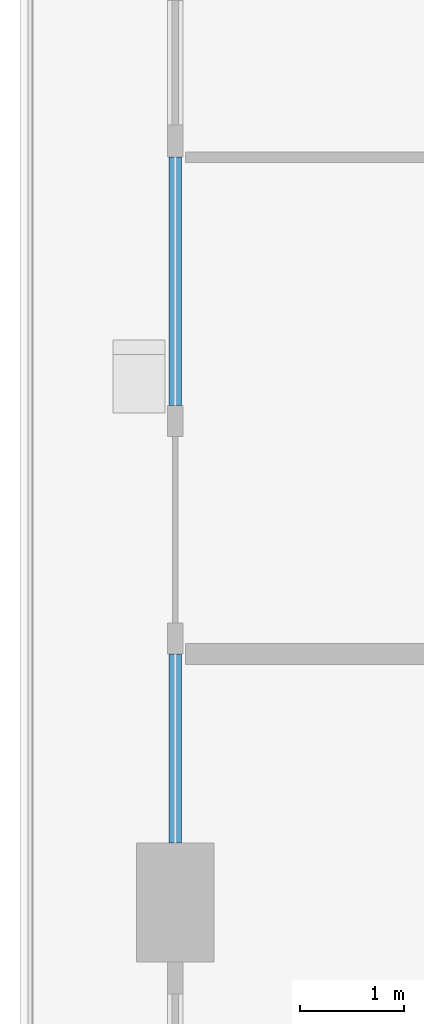
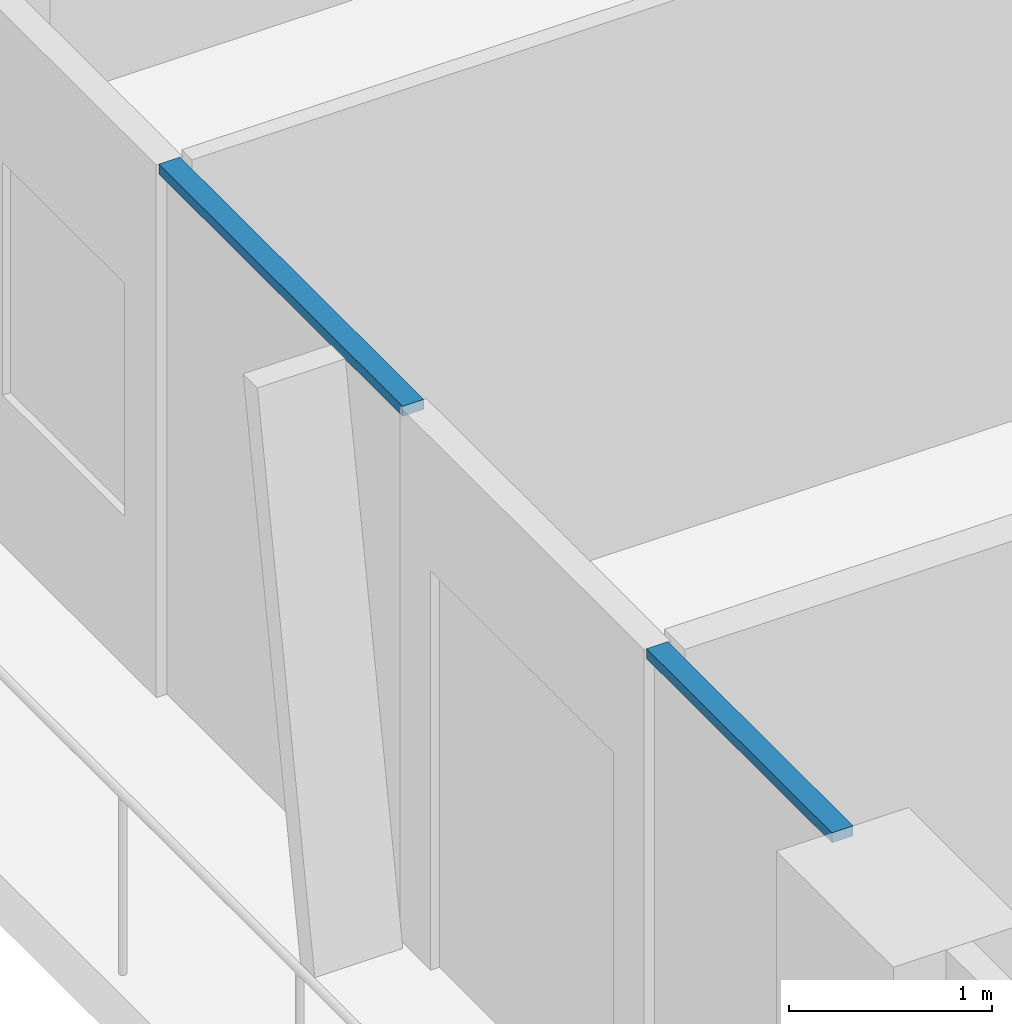
# One storey, part 3 of 22: 2 members, 1 element without a shape of its own.
"""IFC4 building model written with IfcOpenShell, lengths in metres."""

from ifc_helpers import new_model, si_unit, direction, frame, origin, origin_2d, place, context, subcontext, project, spatial, rectangle, extrude, material, layer, layer_set, material_profile, profile_set, type_object, element, aggregate, save


model = new_model("IFC4")

# Units and contexts
model_context = context("Model", 3, precision=1e-05, world=origin(), true_north=direction((0.0, 1.0)))
body_context = subcontext(model_context, "Body", "Model", "MODEL_VIEW")
ifc_project = project(units=[si_unit("LENGTHUNIT", "METRE"), si_unit("AREAUNIT", "SQUARE_METRE"), si_unit("VOLUMEUNIT", "CUBIC_METRE"), si_unit("PLANEANGLEUNIT", "RADIAN"), si_unit("MASSUNIT", "GRAM", prefix="KILO")], contexts=[model_context])

# Site, building, storey
site_placement = place(None, origin())
site = spatial("IfcSite", under=ifc_project, at=site_placement, CompositionType="ELEMENT")
building_placement = place(site_placement, origin())
building = spatial("IfcBuilding", under=site, at=building_placement, Name="Madar Terraces", CompositionType="ELEMENT")
storey_placement = place(building_placement, frame((0.0, 0.0, 159.5)))
storey = spatial("IfcBuildingStorey", under=building, at=storey_placement, Name="L41", CompositionType="ELEMENT", Elevation=159.5)

# Curtain wall, members
ifc_material_1 = material(Name="Glass, ceramic frit dark grey, with black aluminium frame", Category="aluminium")
ifc_layer = layer(ifc_material_1, 0.199951171875)
ifc_layer_set = layer_set([ifc_layer], Name="Facade curtain wall, fritted glass")
curtain_wall_type = type_object("IfcCurtainWallType", Name="Facade curtain wall, fritted glass", PredefinedType="NOTDEFINED", material=ifc_layer_set)
curtain_wall_placement = place(storey_placement, origin())
curtain_wall = element("IfcCurtainWall", 1, at=curtain_wall_placement, inside=storey, type_object=curtain_wall_type, Name="Outer skin curtain wall west bay 2", PredefinedType="NOTDEFINED")
ifc_material_2 = material(Name="Aluminium, black anodised", Category="aluminium")
ifc_material_profile = material_profile(ifc_material_2, rectangle(XDim=0.1201171875, YDim=0.06005859375, at=origin_2d()), Name="Facade transom 60x120")
ifc_profile_set = profile_set([ifc_material_profile], Name="Aluminium, black anodised")
member_type = type_object("IfcMemberType", Name="Facade transom 60x120", PredefinedType="USERDEFINED", material=ifc_profile_set)
member_1_placement = place(storey_placement, frame((0.0, 31.199951171875, 3.169921875), z_axis=(0.0, -1.0, 0.0), x_axis=(1.0, 0.0, 0.0)))
member_1 = element("IfcMember", 2, at=member_1_placement, type_object=member_type, Name="Transom 1", ObjectType="TRANSOM", PredefinedType="USERDEFINED", context=body_context, shape_type="SweptSolid", body=[
    extrude(rectangle(XDim=0.1201171875, YDim=0.06005859375, at=origin_2d()), origin(), (0.0, 0.0, 1.0), 2.39990234375),
])
member_2_placement = place(storey_placement, frame((0.0, 26.39990234375, 3.169921875), z_axis=(0.0, -1.0, 0.0), x_axis=(1.0, 0.0, 0.0)))
member_2 = element("IfcMember", 3, at=member_2_placement, type_object=member_type, Name="Transom 2", ObjectType="TRANSOM", PredefinedType="USERDEFINED", context=body_context, shape_type="SweptSolid", body=[
    extrude(rectangle(XDim=0.1201171875, YDim=0.06005859375, at=origin_2d()), origin(), (0.0, 0.0, 1.0), 1.824951171875),
])
aggregate(curtain_wall, [member_1, member_2])

save(model, "model.ifc")
